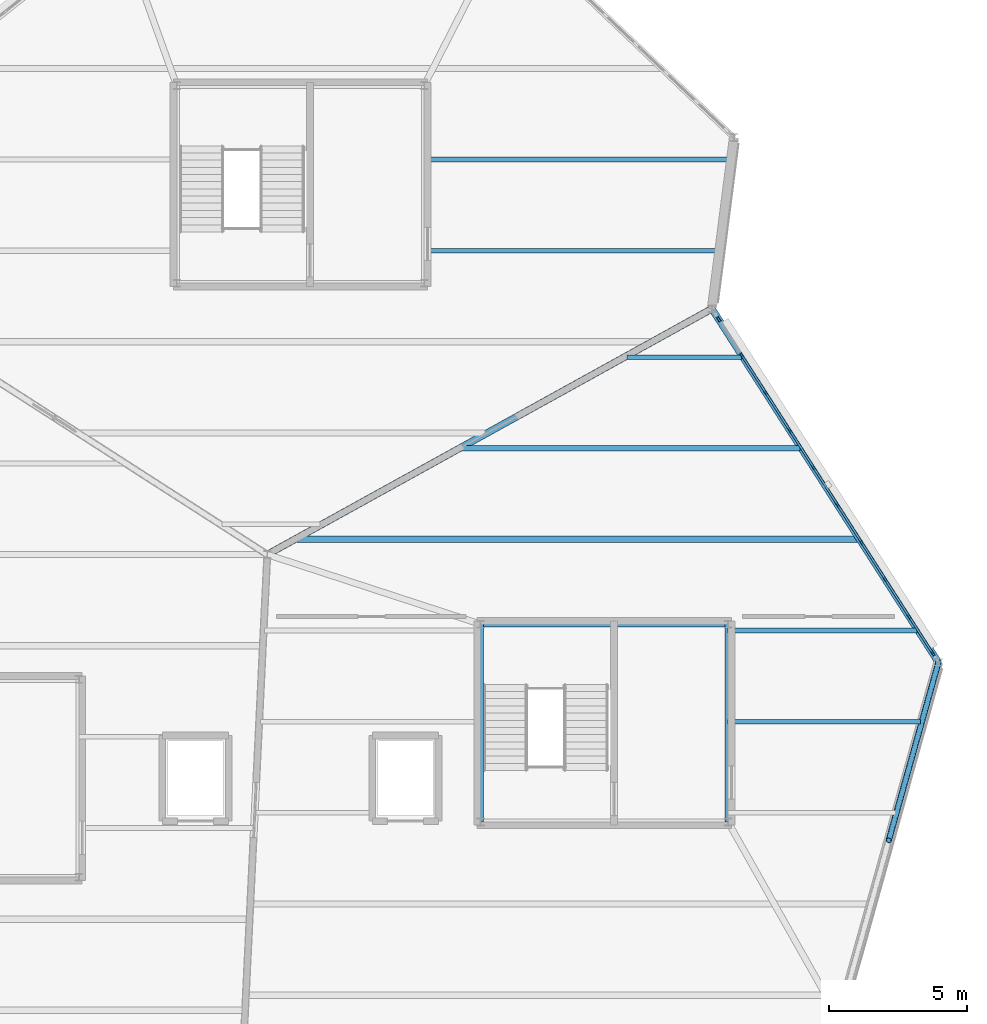
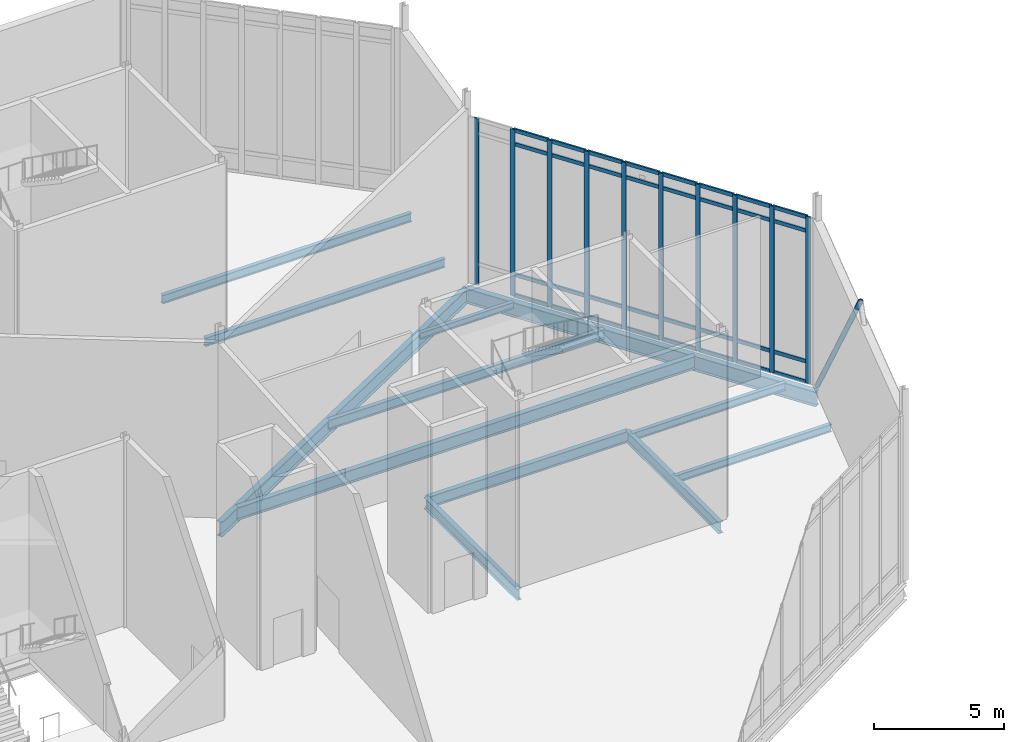
# One storey, part 38 of 66: 43 members, 12 beams, 1 element without a shape of its own.
"""IFC4 building model written with IfcOpenShell, lengths in metres."""

from ifc_helpers import new_model, si_unit, direction, frame, origin, origin_2d, place, context, subcontext, project, spatial, rectangle, hollow_circle, i_section, extrude, material, material_profile, profile_set, type_object, element, aggregate, save


model = new_model("IFC4")

# Units and contexts
model_context = context("Model", 3, precision=1e-05, world=origin(), true_north=direction((0.0, 1.0)))
body_context = subcontext(model_context, "Body", "Model", "MODEL_VIEW")
ifc_project = project(units=[si_unit("LENGTHUNIT", "METRE"), si_unit("AREAUNIT", "SQUARE_METRE"), si_unit("VOLUMEUNIT", "CUBIC_METRE"), si_unit("PLANEANGLEUNIT", "RADIAN"), si_unit("MASSUNIT", "GRAM", prefix="KILO")], contexts=[model_context])

# Site, building, storey
site_placement = place(None, origin())
site = spatial("IfcSite", under=ifc_project, at=site_placement, CompositionType="ELEMENT")
building_placement = place(site_placement, origin())
building = spatial("IfcBuilding", under=site, at=building_placement, Name="Tameran Prism Museum", CompositionType="ELEMENT")
storey_placement = place(building_placement, frame((0.0, 0.0, 19.800048828125)))
storey = spatial("IfcBuildingStorey", under=building, at=storey_placement, Name="L04", CompositionType="ELEMENT", Elevation=19.800048828125)

# Beams
ifc_material_1 = material(Name="Steel Grade 300PLUS (300 MPa)", Category="steel")
ifc_material_profile_1 = material_profile(ifc_material_1, i_section(OverallWidth=0.1650390625, OverallDepth=0.303955078125, WebThickness=0.006103515625, FlangeThickness=0.01025390625, FilletRadius=0.011474609375, at=origin_2d()))
ifc_profile_set_1 = profile_set([ifc_material_profile_1])
beam_type_1 = type_object("IfcBeamType", Name="BM-J310B", PredefinedType="JOIST", material=ifc_profile_set_1)
beam_1_placement = place(storey_placement, frame((131.81689453125, 96.25, -0.39208984375), z_axis=(1.0, 0.0, 0.0), x_axis=(0.0, 1.0, 0.0)))
element("IfcBeam", 1, at=beam_1_placement, inside=storey, type_object=beam_type_1, Name="Floor Beam BM-1219", PredefinedType="JOIST", context=body_context, shape_type="SweptSolid", body=[
    extrude(i_section(OverallWidth=0.1650390625, OverallDepth=0.303955078125, WebThickness=0.006103515625, FlangeThickness=0.01025390625, FilletRadius=0.011474609375, at=origin_2d()), origin(), (0.0, 0.0, 1.0), 4.1572265625),
])
ifc_material_2 = material(Name="Steel Grade 300PLUS (300 MPa)", Category="steel")
ifc_material_profile_2 = material_profile(ifc_material_2, i_section(OverallWidth=0.172119140625, OverallDepth=0.35888671875, WebThickness=0.008056640625, FlangeThickness=0.012939453125, FilletRadius=0.011474609375, at=origin_2d()))
ifc_profile_set_2 = profile_set([ifc_material_profile_2])
beam_type_2 = type_object("IfcBeamType", Name="BM-J360A", PredefinedType="JOIST", material=ifc_profile_set_2)
beam_2_placement = place(storey_placement, frame((135.47998046875, 86.35009765625, -0.41943359375), z_axis=(1.0, 0.0, 0.0), x_axis=(0.0, 1.0, 0.0)))
element("IfcBeam", 2, at=beam_2_placement, inside=storey, type_object=beam_type_2, Name="Floor Beam BM-1216", PredefinedType="JOIST", context=body_context, shape_type="SweptSolid", body=[
    extrude(i_section(OverallWidth=0.172119140625, OverallDepth=0.35888671875, WebThickness=0.008056640625, FlangeThickness=0.012939453125, FilletRadius=0.011474609375, at=origin_2d()), origin(), (0.0, 0.0, 1.0), 6.8359375),
])
ifc_material_3 = material(Name="Steel Grade 300PLUS (300 MPa)", Category="steel")
ifc_material_profile_3 = material_profile(ifc_material_3, i_section(OverallWidth=0.1708984375, OverallDepth=0.35595703125, WebThickness=0.00732421875, FlangeThickness=0.011474609375, FilletRadius=0.011474609375, at=origin_2d()))
ifc_profile_set_3 = profile_set([ifc_material_profile_3])
beam_type_3 = type_object("IfcBeamType", Name="BM-J360B", PredefinedType="JOIST", material=ifc_profile_set_3)
beam_3_placement = place(storey_placement, frame((135.47998046875, 83.050048828125, -0.41796875), z_axis=(1.0, 0.0, 0.0), x_axis=(0.0, 1.0, 0.0)))
element("IfcBeam", 3, at=beam_3_placement, inside=storey, type_object=beam_type_3, Name="Floor Beam BM-1214", PredefinedType="JOIST", context=body_context, shape_type="SweptSolid", body=[
    extrude(i_section(OverallWidth=0.1708984375, OverallDepth=0.35595703125, WebThickness=0.00732421875, FlangeThickness=0.011474609375, FilletRadius=0.011474609375, at=origin_2d()), origin(), (0.0, 0.0, 1.0), 6.97802734375),
])
ifc_material_4 = material(Name="Steel Grade 300PLUS (300 MPa)", Category="steel")
ifc_material_profile_4 = material_profile(ifc_material_4, i_section(OverallWidth=0.177978515625, OverallDepth=0.403076171875, WebThickness=0.007568359375, FlangeThickness=0.010986328125, FilletRadius=0.011474609375, at=origin_2d()))
ifc_profile_set_4 = profile_set([ifc_material_profile_4])
beam_type_4 = type_object("IfcBeamType", Name="BM-J410B", PredefinedType="JOIST", material=ifc_profile_set_4)
beam_4_placement = place(storey_placement, frame((124.47998046875, 100.10009765625, -0.441650390625), z_axis=(1.0, 0.0, 0.0), x_axis=(0.0, 1.0, 0.0)))
element("IfcBeam", 4, at=beam_4_placement, inside=storey, type_object=beam_type_4, Name="Floor Beam BM-1224", PredefinedType="JOIST", context=body_context, shape_type="SweptSolid", body=[
    extrude(i_section(OverallWidth=0.177978515625, OverallDepth=0.403076171875, WebThickness=0.007568359375, FlangeThickness=0.010986328125, FilletRadius=0.011474609375, at=origin_2d()), origin(), (0.0, 0.0, 1.0), 10.651123046875),
])
beam_5_placement = place(storey_placement, frame((124.47998046875, 103.39990234375, -0.441650390625), z_axis=(1.0, 0.0, 0.0), x_axis=(0.0, 1.0, 0.0)))
element("IfcBeam", 5, at=beam_5_placement, inside=storey, type_object=beam_type_4, Name="Floor Beam BM-1226", PredefinedType="JOIST", context=body_context, shape_type="SweptSolid", body=[
    extrude(i_section(OverallWidth=0.177978515625, OverallDepth=0.403076171875, WebThickness=0.007568359375, FlangeThickness=0.010986328125, FilletRadius=0.011474609375, at=origin_2d()), origin(), (0.0, 0.0, 1.0), 11.075927734375),
])
ifc_material_5 = material(Name="Steel Grade 300PLUS (300 MPa)", Category="steel")
ifc_material_profile_5 = material_profile(ifc_material_5, i_section(OverallWidth=0.18994140625, OverallDepth=0.4541015625, WebThickness=0.008544921875, FlangeThickness=0.0126953125, FilletRadius=0.011474609375, at=origin_2d()))
ifc_profile_set_5 = profile_set([ifc_material_profile_5])
beam_type_5 = type_object("IfcBeamType", Name="BM-J460B", PredefinedType="JOIST", material=ifc_profile_set_5)
beam_6_placement = place(storey_placement, frame((125.846923828125, 92.949951171875, -0.467041015625), z_axis=(1.0, 0.0, 0.0), x_axis=(0.0, 1.0, 0.0)))
element("IfcBeam", 6, at=beam_6_placement, inside=storey, type_object=beam_type_5, Name="Floor Beam BM-1218", PredefinedType="JOIST", context=body_context, shape_type="SweptSolid", body=[
    extrude(i_section(OverallWidth=0.18994140625, OverallDepth=0.4541015625, WebThickness=0.008544921875, FlangeThickness=0.0126953125, FilletRadius=0.011474609375, at=origin_2d()), origin(), (0.0, 0.0, 1.0), 12.240966796875),
])
ifc_material_6 = material(Name="Steel Grade 300PLUS (300 MPa)", Category="steel")
ifc_material_profile_6 = material_profile(ifc_material_6, i_section(OverallWidth=0.208984375, OverallDepth=0.528076171875, WebThickness=0.009521484375, FlangeThickness=0.01318359375, FilletRadius=0.013916015625, at=origin_2d()))
ifc_profile_set_6 = profile_set([ifc_material_profile_6])
beam_type_6 = type_object("IfcBeamType", Name="BM-SP530B", PredefinedType="SPANDREL", material=ifc_profile_set_6)
beam_7_placement = place(storey_placement, frame((135.47998046875, 79.419921875, -0.504150390625), z_axis=(0.0, 1.0, 0.0), x_axis=(-1.0, 0.0, 0.0)))
element("IfcBeam", 7, at=beam_7_placement, inside=storey, type_object=beam_type_6, Name="Core Ring Beam CTB-1182", PredefinedType="SPANDREL", context=body_context, shape_type="SweptSolid", body=[
    extrude(i_section(OverallWidth=0.208984375, OverallDepth=0.528076171875, WebThickness=0.009521484375, FlangeThickness=0.01318359375, FilletRadius=0.013916015625, at=origin_2d()), origin(), (0.0, 0.0, 1.0), 7.16015625),
])
beam_8_placement = place(storey_placement, frame((135.47998046875, 86.580078125, -0.504150390625), z_axis=(-1.0, 0.0, 0.0), x_axis=(0.0, -1.0, 0.0)))
element("IfcBeam", 8, at=beam_8_placement, inside=storey, type_object=beam_type_6, Name="Core Ring Beam CTB-1183", PredefinedType="SPANDREL", context=body_context, shape_type="SweptSolid", body=[
    extrude(i_section(OverallWidth=0.208984375, OverallDepth=0.528076171875, WebThickness=0.009521484375, FlangeThickness=0.01318359375, FilletRadius=0.013916015625, at=origin_2d()), origin(), (0.0, 0.0, 1.0), 8.9599609375),
])
beam_9_placement = place(storey_placement, frame((126.52001953125, 86.580078125, -0.504150390625), z_axis=(0.0, -1.0, 0.0), x_axis=(1.0, 0.0, 0.0)))
element("IfcBeam", 9, at=beam_9_placement, inside=storey, type_object=beam_type_6, Name="Core Ring Beam CTB-1184", PredefinedType="SPANDREL", context=body_context, shape_type="SweptSolid", body=[
    extrude(i_section(OverallWidth=0.208984375, OverallDepth=0.528076171875, WebThickness=0.009521484375, FlangeThickness=0.01318359375, FilletRadius=0.013916015625, at=origin_2d()), origin(), (0.0, 0.0, 1.0), 7.16015625),
])
ifc_material_7 = material(Name="Steel Grade 350 (350 MPa)", Category="steel")
ifc_material_profile_7 = material_profile(ifc_material_7, i_section(OverallWidth=0.25, OverallDepth=0.699951171875, WebThickness=0.010009765625, FlangeThickness=0.02001953125, at=origin_2d()))
ifc_profile_set_7 = profile_set([ifc_material_profile_7])
beam_type_7 = type_object("IfcBeamType", Name="BM-SP700", PredefinedType="SPANDREL", material=ifc_profile_set_7)
beam_10_placement = place(storey_placement, frame((143.10009765625, 85.199951171875, -0.590087890625), z_axis=(-0.539434641352, 0.842027474439, 0.0), x_axis=(-0.842027474439, -0.539434641352, 0.0)))
element("IfcBeam", 10, at=beam_10_placement, inside=storey, type_object=beam_type_7, Name="Perimeter Spandrel SP-1148", PredefinedType="SPANDREL", context=body_context, shape_type="SweptSolid", body=[
    extrude(i_section(OverallWidth=0.25, OverallDepth=0.699951171875, WebThickness=0.010009765625, FlangeThickness=0.02001953125, at=origin_2d()), origin(), (0.0, 0.0, 1.0), 15.201416015625),
])
beam_11_placement = place(storey_placement, frame((134.89990234375, 98.0, -0.590087890625), z_axis=(-0.875181353329, -0.483794996652, 0.0), x_axis=(0.483794996652, -0.875181353329, 0.0)))
element("IfcBeam", 11, at=beam_11_placement, inside=storey, type_object=beam_type_7, Name="Perimeter Spandrel SP-1149", PredefinedType="SPANDREL", context=body_context, shape_type="SweptSolid", body=[
    extrude(i_section(OverallWidth=0.25, OverallDepth=0.699951171875, WebThickness=0.010009765625, FlangeThickness=0.02001953125, at=origin_2d()), origin(), (0.0, 0.0, 1.0), 18.39599609375),
])
ifc_material_8 = material(Name="Steel Grade 300PLUS (300 MPa)", Category="steel")
ifc_material_profile_8 = material_profile(ifc_material_8, i_section(OverallWidth=0.22802734375, OverallDepth=0.60693359375, WebThickness=0.01123046875, FlangeThickness=0.017333984375, FilletRadius=0.013916015625, at=origin_2d()))
ifc_profile_set_8 = profile_set([ifc_material_profile_8])
beam_type_8 = type_object("IfcBeamType", Name="BM-UB610B", PredefinedType="BEAM", material=ifc_profile_set_8)
beam_12_placement = place(storey_placement, frame((119.8779296875, 89.64990234375, -0.54345703125), z_axis=(1.0, 0.0, 0.0), x_axis=(0.0, 1.0, 0.0)))
element("IfcBeam", 12, at=beam_12_placement, inside=storey, type_object=beam_type_8, Name="Floor Beam BM-1217", PredefinedType="BEAM", context=body_context, shape_type="SweptSolid", body=[
    extrude(i_section(OverallWidth=0.22802734375, OverallDepth=0.60693359375, WebThickness=0.01123046875, FlangeThickness=0.017333984375, FilletRadius=0.013916015625, at=origin_2d()), origin(), (0.0, 0.0, 1.0), 20.323974609375),
])

# Curtain wall, members
ifc_material_9 = material(Name="Anodised Aluminium 6063-T6 and Cyclone Solar Glass", Category="aluminium")
curtain_wall_type = type_object("IfcCurtainWallType", Name="CW-FAC-1444x782", PredefinedType="USERDEFINED", material=ifc_material_9)
curtain_wall_placement = place(storey_placement, origin())
curtain_wall = element("IfcCurtainWall", 13, at=curtain_wall_placement, inside=storey, type_object=curtain_wall_type, Name="Unitised Curtain Wall CW-153", ObjectType="UNITISED CURTAIN WALL", PredefinedType="USERDEFINED")
ifc_material_10 = material(Name="Anodised Aluminium Alloy 6063-T6", Category="aluminium")
ifc_material_profile_9 = material_profile(ifc_material_10, rectangle(XDim=0.074951171875, YDim=0.199951171875, at=origin_2d()))
ifc_profile_set_9 = profile_set([ifc_material_profile_9])
member_type_1 = type_object("IfcMemberType", Name="CW-MUL-C", PredefinedType="MULLION", material=ifc_profile_set_9)
member_1_placement = place(storey_placement, frame((135.14111328125, 97.62353515625, 0.0), z_axis=(0.0, 0.0, 1.0), x_axis=(0.842032375697, 0.539426990683, 0.0)))
member_1 = element("IfcMember", 14, at=member_1_placement, type_object=member_type_1, Name="CW-153 mullion 1", PredefinedType="MULLION", context=body_context, shape_type="SweptSolid", body=[
    extrude(rectangle(XDim=0.074951171875, YDim=0.199951171875, at=origin_2d()), origin(), (0.0, 0.0, 1.0), 7.820068359375),
])
member_2_placement = place(storey_placement, frame((135.986572265625, 96.303955078125, 0.0), z_axis=(0.0, 0.0, 1.0), x_axis=(0.842032375697, 0.539426990683, 0.0)))
member_2 = element("IfcMember", 15, at=member_2_placement, type_object=member_type_1, Name="CW-153 mullion 2", PredefinedType="MULLION", context=body_context, shape_type="SweptSolid", body=[
    extrude(rectangle(XDim=0.074951171875, YDim=0.199951171875, at=origin_2d()), origin(), (0.0, 0.0, 1.0), 7.820068359375),
])
member_3_placement = place(storey_placement, frame((136.85205078125, 94.952880859375, 0.0), z_axis=(0.0, 0.0, 1.0), x_axis=(0.842032375697, 0.539426990683, 0.0)))
member_3 = element("IfcMember", 16, at=member_3_placement, type_object=member_type_1, Name="CW-153 mullion 3", PredefinedType="MULLION", context=body_context, shape_type="SweptSolid", body=[
    extrude(rectangle(XDim=0.074951171875, YDim=0.199951171875, at=origin_2d()), origin(), (0.0, 0.0, 1.0), 7.820068359375),
])
member_4_placement = place(storey_placement, frame((137.7177734375, 93.6015625, 0.0), z_axis=(0.0, 0.0, 1.0), x_axis=(0.842032375697, 0.539426990683, 0.0)))
member_4 = element("IfcMember", 17, at=member_4_placement, type_object=member_type_1, Name="CW-153 mullion 4", PredefinedType="MULLION", context=body_context, shape_type="SweptSolid", body=[
    extrude(rectangle(XDim=0.074951171875, YDim=0.199951171875, at=origin_2d()), origin(), (0.0, 0.0, 1.0), 7.820068359375),
])
member_5_placement = place(storey_placement, frame((138.583251953125, 92.25048828125, 0.0), z_axis=(0.0, 0.0, 1.0), x_axis=(0.842032375697, 0.539426990683, 0.0)))
member_5 = element("IfcMember", 18, at=member_5_placement, type_object=member_type_1, Name="CW-153 mullion 5", PredefinedType="MULLION", context=body_context, shape_type="SweptSolid", body=[
    extrude(rectangle(XDim=0.074951171875, YDim=0.199951171875, at=origin_2d()), origin(), (0.0, 0.0, 1.0), 7.820068359375),
])
member_6_placement = place(storey_placement, frame((139.44873046875, 90.8994140625, 0.0), z_axis=(0.0, 0.0, 1.0), x_axis=(0.842032375697, 0.539426990683, 0.0)))
member_6 = element("IfcMember", 19, at=member_6_placement, type_object=member_type_1, Name="CW-153 mullion 6", PredefinedType="MULLION", context=body_context, shape_type="SweptSolid", body=[
    extrude(rectangle(XDim=0.074951171875, YDim=0.199951171875, at=origin_2d()), origin(), (0.0, 0.0, 1.0), 7.820068359375),
])
member_7_placement = place(storey_placement, frame((140.314453125, 89.54833984375, 0.0), z_axis=(0.0, 0.0, 1.0), x_axis=(0.842032375697, 0.539426990683, 0.0)))
member_7 = element("IfcMember", 20, at=member_7_placement, type_object=member_type_1, Name="CW-153 mullion 7", PredefinedType="MULLION", context=body_context, shape_type="SweptSolid", body=[
    extrude(rectangle(XDim=0.074951171875, YDim=0.199951171875, at=origin_2d()), origin(), (0.0, 0.0, 1.0), 7.820068359375),
])
member_8_placement = place(storey_placement, frame((141.179931640625, 88.197265625, 0.0), z_axis=(0.0, 0.0, 1.0), x_axis=(0.842032375697, 0.539426990683, 0.0)))
member_8 = element("IfcMember", 21, at=member_8_placement, type_object=member_type_1, Name="CW-153 mullion 8", PredefinedType="MULLION", context=body_context, shape_type="SweptSolid", body=[
    extrude(rectangle(XDim=0.074951171875, YDim=0.199951171875, at=origin_2d()), origin(), (0.0, 0.0, 1.0), 7.820068359375),
])
member_9_placement = place(storey_placement, frame((142.04541015625, 86.84619140625, 0.0), z_axis=(0.0, 0.0, 1.0), x_axis=(0.842032375697, 0.539426990683, 0.0)))
member_9 = element("IfcMember", 22, at=member_9_placement, type_object=member_type_1, Name="CW-153 mullion 9", PredefinedType="MULLION", context=body_context, shape_type="SweptSolid", body=[
    extrude(rectangle(XDim=0.074951171875, YDim=0.199951171875, at=origin_2d()), origin(), (0.0, 0.0, 1.0), 7.820068359375),
])
member_10_placement = place(storey_placement, frame((142.890869140625, 85.526611328125, 0.0), z_axis=(0.0, 0.0, 1.0), x_axis=(0.842032375697, 0.539426990683, 0.0)))
member_10 = element("IfcMember", 23, at=member_10_placement, type_object=member_type_1, Name="CW-153 mullion 10", PredefinedType="MULLION", context=body_context, shape_type="SweptSolid", body=[
    extrude(rectangle(XDim=0.074951171875, YDim=0.199951171875, at=origin_2d()), origin(), (0.0, 0.0, 1.0), 7.820068359375),
])
ifc_material_11 = material(Name="Anodised Aluminium Alloy 6063-T6", Category="aluminium")
ifc_material_profile_10 = material_profile(ifc_material_11, rectangle(XDim=0.074951171875, YDim=0.175048828125, at=origin_2d()))
ifc_profile_set_10 = profile_set([ifc_material_profile_10])
member_type_2 = type_object("IfcMemberType", Name="CW-TRN-C", PredefinedType="USERDEFINED", material=ifc_profile_set_10)
member_11_placement = place(storey_placement, frame((136.0068359375, 96.272216796875, 0.037353515625), z_axis=(0.539393389528, -0.842053900492, 0.0), x_axis=(0.842053900492, 0.539393389528, 0.0)))
member_11 = element("IfcMember", 24, at=member_11_placement, type_object=member_type_2, Name="CW-153 transom 2.1", ObjectType="TRANSOM", PredefinedType="USERDEFINED", context=body_context, shape_type="SweptSolid", body=[
    extrude(rectangle(XDim=0.074951171875, YDim=0.175048828125, at=origin_2d()), origin(), (0.0, 0.0, 1.0), 1.529296875),
])
member_12_placement = place(storey_placement, frame((136.0068359375, 96.272216796875, 1.0), z_axis=(0.539393389528, -0.842053900492, 0.0), x_axis=(0.842053900492, 0.539393389528, 0.0)))
member_12 = element("IfcMember", 25, at=member_12_placement, type_object=member_type_2, Name="CW-153 transom 2.2", ObjectType="TRANSOM", PredefinedType="USERDEFINED", context=body_context, shape_type="SweptSolid", body=[
    extrude(rectangle(XDim=0.074951171875, YDim=0.175048828125, at=origin_2d()), origin(), (0.0, 0.0, 1.0), 1.529296875),
])
member_13_placement = place(storey_placement, frame((136.0068359375, 96.272216796875, 7.139892578125), z_axis=(0.539393389528, -0.842053900492, 0.0), x_axis=(0.842053900492, 0.539393389528, 0.0)))
member_13 = element("IfcMember", 26, at=member_13_placement, type_object=member_type_2, Name="CW-153 transom 2.3", ObjectType="TRANSOM", PredefinedType="USERDEFINED", context=body_context, shape_type="SweptSolid", body=[
    extrude(rectangle(XDim=0.074951171875, YDim=0.175048828125, at=origin_2d()), origin(), (0.0, 0.0, 1.0), 1.529296875),
])
member_14_placement = place(storey_placement, frame((136.0068359375, 96.272216796875, 7.782470703125), z_axis=(0.539393389528, -0.842053900492, 0.0), x_axis=(0.842053900492, 0.539393389528, 0.0)))
member_14 = element("IfcMember", 27, at=member_14_placement, type_object=member_type_2, Name="CW-153 transom 2.4", ObjectType="TRANSOM", PredefinedType="USERDEFINED", context=body_context, shape_type="SweptSolid", body=[
    extrude(rectangle(XDim=0.074951171875, YDim=0.175048828125, at=origin_2d()), origin(), (0.0, 0.0, 1.0), 1.529296875),
])
member_15_placement = place(storey_placement, frame((136.872314453125, 94.921142578125, 0.037353515625), z_axis=(0.539506562083, -0.841981394966, 0.0), x_axis=(0.841981394966, 0.539506562083, 0.0)))
member_15 = element("IfcMember", 28, at=member_15_placement, type_object=member_type_2, Name="CW-153 transom 3.1", ObjectType="TRANSOM", PredefinedType="USERDEFINED", context=body_context, shape_type="SweptSolid", body=[
    extrude(rectangle(XDim=0.074951171875, YDim=0.175048828125, at=origin_2d()), origin(), (0.0, 0.0, 1.0), 1.529541015625),
])
member_16_placement = place(storey_placement, frame((136.872314453125, 94.921142578125, 1.0), z_axis=(0.539506562083, -0.841981394966, 0.0), x_axis=(0.841981394966, 0.539506562083, 0.0)))
member_16 = element("IfcMember", 29, at=member_16_placement, type_object=member_type_2, Name="CW-153 transom 3.2", ObjectType="TRANSOM", PredefinedType="USERDEFINED", context=body_context, shape_type="SweptSolid", body=[
    extrude(rectangle(XDim=0.074951171875, YDim=0.175048828125, at=origin_2d()), origin(), (0.0, 0.0, 1.0), 1.529541015625),
])
member_17_placement = place(storey_placement, frame((136.872314453125, 94.921142578125, 7.139892578125), z_axis=(0.539506562083, -0.841981394966, 0.0), x_axis=(0.841981394966, 0.539506562083, 0.0)))
member_17 = element("IfcMember", 30, at=member_17_placement, type_object=member_type_2, Name="CW-153 transom 3.3", ObjectType="TRANSOM", PredefinedType="USERDEFINED", context=body_context, shape_type="SweptSolid", body=[
    extrude(rectangle(XDim=0.074951171875, YDim=0.175048828125, at=origin_2d()), origin(), (0.0, 0.0, 1.0), 1.529541015625),
])
member_18_placement = place(storey_placement, frame((136.872314453125, 94.921142578125, 7.782470703125), z_axis=(0.539506562083, -0.841981394966, 0.0), x_axis=(0.841981394966, 0.539506562083, 0.0)))
member_18 = element("IfcMember", 31, at=member_18_placement, type_object=member_type_2, Name="CW-153 transom 3.4", ObjectType="TRANSOM", PredefinedType="USERDEFINED", context=body_context, shape_type="SweptSolid", body=[
    extrude(rectangle(XDim=0.074951171875, YDim=0.175048828125, at=origin_2d()), origin(), (0.0, 0.0, 1.0), 1.529541015625),
])
member_19_placement = place(storey_placement, frame((137.73779296875, 93.570068359375, 0.037353515625), z_axis=(0.539506562083, -0.841981394966, 0.0), x_axis=(0.841981394966, 0.539506562083, 0.0)))
member_19 = element("IfcMember", 32, at=member_19_placement, type_object=member_type_2, Name="CW-153 transom 4.1", ObjectType="TRANSOM", PredefinedType="USERDEFINED", context=body_context, shape_type="SweptSolid", body=[
    extrude(rectangle(XDim=0.074951171875, YDim=0.175048828125, at=origin_2d()), origin(), (0.0, 0.0, 1.0), 1.529541015625),
])
member_20_placement = place(storey_placement, frame((137.73779296875, 93.570068359375, 1.0), z_axis=(0.539506562083, -0.841981394966, 0.0), x_axis=(0.841981394966, 0.539506562083, 0.0)))
member_20 = element("IfcMember", 33, at=member_20_placement, type_object=member_type_2, Name="CW-153 transom 4.2", ObjectType="TRANSOM", PredefinedType="USERDEFINED", context=body_context, shape_type="SweptSolid", body=[
    extrude(rectangle(XDim=0.074951171875, YDim=0.175048828125, at=origin_2d()), origin(), (0.0, 0.0, 1.0), 1.529541015625),
])
member_21_placement = place(storey_placement, frame((137.73779296875, 93.570068359375, 7.139892578125), z_axis=(0.539506562083, -0.841981394966, 0.0), x_axis=(0.841981394966, 0.539506562083, 0.0)))
member_21 = element("IfcMember", 34, at=member_21_placement, type_object=member_type_2, Name="CW-153 transom 4.3", ObjectType="TRANSOM", PredefinedType="USERDEFINED", context=body_context, shape_type="SweptSolid", body=[
    extrude(rectangle(XDim=0.074951171875, YDim=0.175048828125, at=origin_2d()), origin(), (0.0, 0.0, 1.0), 1.529541015625),
])
member_22_placement = place(storey_placement, frame((137.73779296875, 93.570068359375, 7.782470703125), z_axis=(0.539506562083, -0.841981394966, 0.0), x_axis=(0.841981394966, 0.539506562083, 0.0)))
member_22 = element("IfcMember", 35, at=member_22_placement, type_object=member_type_2, Name="CW-153 transom 4.4", ObjectType="TRANSOM", PredefinedType="USERDEFINED", context=body_context, shape_type="SweptSolid", body=[
    extrude(rectangle(XDim=0.074951171875, YDim=0.175048828125, at=origin_2d()), origin(), (0.0, 0.0, 1.0), 1.529541015625),
])
member_23_placement = place(storey_placement, frame((138.603515625, 92.218994140625, 0.037353515625), z_axis=(0.539320893112, -0.842100335027, 0.0), x_axis=(0.842100335027, 0.539320893112, 0.0)))
member_23 = element("IfcMember", 36, at=member_23_placement, type_object=member_type_2, Name="CW-153 transom 5.1", ObjectType="TRANSOM", PredefinedType="USERDEFINED", context=body_context, shape_type="SweptSolid", body=[
    extrude(rectangle(XDim=0.074951171875, YDim=0.175048828125, at=origin_2d()), origin(), (0.0, 0.0, 1.0), 1.529541015625),
])
member_24_placement = place(storey_placement, frame((138.603515625, 92.218994140625, 1.0), z_axis=(0.539320893112, -0.842100335027, 0.0), x_axis=(0.842100335027, 0.539320893112, 0.0)))
member_24 = element("IfcMember", 37, at=member_24_placement, type_object=member_type_2, Name="CW-153 transom 5.2", ObjectType="TRANSOM", PredefinedType="USERDEFINED", context=body_context, shape_type="SweptSolid", body=[
    extrude(rectangle(XDim=0.074951171875, YDim=0.175048828125, at=origin_2d()), origin(), (0.0, 0.0, 1.0), 1.529541015625),
])
member_25_placement = place(storey_placement, frame((138.603515625, 92.218994140625, 7.139892578125), z_axis=(0.539320893112, -0.842100335027, 0.0), x_axis=(0.842100335027, 0.539320893112, 0.0)))
member_25 = element("IfcMember", 38, at=member_25_placement, type_object=member_type_2, Name="CW-153 transom 5.3", ObjectType="TRANSOM", PredefinedType="USERDEFINED", context=body_context, shape_type="SweptSolid", body=[
    extrude(rectangle(XDim=0.074951171875, YDim=0.175048828125, at=origin_2d()), origin(), (0.0, 0.0, 1.0), 1.529541015625),
])
member_26_placement = place(storey_placement, frame((138.603515625, 92.218994140625, 7.782470703125), z_axis=(0.539320893112, -0.842100335027, 0.0), x_axis=(0.842100335027, 0.539320893112, 0.0)))
member_26 = element("IfcMember", 39, at=member_26_placement, type_object=member_type_2, Name="CW-153 transom 5.4", ObjectType="TRANSOM", PredefinedType="USERDEFINED", context=body_context, shape_type="SweptSolid", body=[
    extrude(rectangle(XDim=0.074951171875, YDim=0.175048828125, at=origin_2d()), origin(), (0.0, 0.0, 1.0), 1.529541015625),
])
member_27_placement = place(storey_placement, frame((139.468994140625, 90.867919921875, 0.037353515625), z_axis=(0.53943406294, -0.842027844991, 0.0), x_axis=(0.842027844991, 0.53943406294, 0.0)))
member_27 = element("IfcMember", 40, at=member_27_placement, type_object=member_type_2, Name="CW-153 transom 6.1", ObjectType="TRANSOM", PredefinedType="USERDEFINED", context=body_context, shape_type="SweptSolid", body=[
    extrude(rectangle(XDim=0.074951171875, YDim=0.175048828125, at=origin_2d()), origin(), (0.0, 0.0, 1.0), 1.52978515625),
])
member_28_placement = place(storey_placement, frame((139.468994140625, 90.867919921875, 1.0), z_axis=(0.53943406294, -0.842027844991, 0.0), x_axis=(0.842027844991, 0.53943406294, 0.0)))
member_28 = element("IfcMember", 41, at=member_28_placement, type_object=member_type_2, Name="CW-153 transom 6.2", ObjectType="TRANSOM", PredefinedType="USERDEFINED", context=body_context, shape_type="SweptSolid", body=[
    extrude(rectangle(XDim=0.074951171875, YDim=0.175048828125, at=origin_2d()), origin(), (0.0, 0.0, 1.0), 1.52978515625),
])
member_29_placement = place(storey_placement, frame((139.468994140625, 90.867919921875, 7.139892578125), z_axis=(0.53943406294, -0.842027844991, 0.0), x_axis=(0.842027844991, 0.53943406294, 0.0)))
member_29 = element("IfcMember", 42, at=member_29_placement, type_object=member_type_2, Name="CW-153 transom 6.3", ObjectType="TRANSOM", PredefinedType="USERDEFINED", context=body_context, shape_type="SweptSolid", body=[
    extrude(rectangle(XDim=0.074951171875, YDim=0.175048828125, at=origin_2d()), origin(), (0.0, 0.0, 1.0), 1.52978515625),
])
member_30_placement = place(storey_placement, frame((139.468994140625, 90.867919921875, 7.782470703125), z_axis=(0.53943406294, -0.842027844991, 0.0), x_axis=(0.842027844991, 0.53943406294, 0.0)))
member_30 = element("IfcMember", 43, at=member_30_placement, type_object=member_type_2, Name="CW-153 transom 6.4", ObjectType="TRANSOM", PredefinedType="USERDEFINED", context=body_context, shape_type="SweptSolid", body=[
    extrude(rectangle(XDim=0.074951171875, YDim=0.175048828125, at=origin_2d()), origin(), (0.0, 0.0, 1.0), 1.52978515625),
])
member_31_placement = place(storey_placement, frame((140.33447265625, 89.516845703125, 0.037353515625), z_axis=(0.53943406294, -0.842027844991, 0.0), x_axis=(0.842027844991, 0.53943406294, 0.0)))
member_31 = element("IfcMember", 44, at=member_31_placement, type_object=member_type_2, Name="CW-153 transom 7.1", ObjectType="TRANSOM", PredefinedType="USERDEFINED", context=body_context, shape_type="SweptSolid", body=[
    extrude(rectangle(XDim=0.074951171875, YDim=0.175048828125, at=origin_2d()), origin(), (0.0, 0.0, 1.0), 1.52978515625),
])
member_32_placement = place(storey_placement, frame((140.33447265625, 89.516845703125, 1.0), z_axis=(0.53943406294, -0.842027844991, 0.0), x_axis=(0.842027844991, 0.53943406294, 0.0)))
member_32 = element("IfcMember", 45, at=member_32_placement, type_object=member_type_2, Name="CW-153 transom 7.2", ObjectType="TRANSOM", PredefinedType="USERDEFINED", context=body_context, shape_type="SweptSolid", body=[
    extrude(rectangle(XDim=0.074951171875, YDim=0.175048828125, at=origin_2d()), origin(), (0.0, 0.0, 1.0), 1.52978515625),
])
member_33_placement = place(storey_placement, frame((140.33447265625, 89.516845703125, 7.139892578125), z_axis=(0.53943406294, -0.842027844991, 0.0), x_axis=(0.842027844991, 0.53943406294, 0.0)))
member_33 = element("IfcMember", 46, at=member_33_placement, type_object=member_type_2, Name="CW-153 transom 7.3", ObjectType="TRANSOM", PredefinedType="USERDEFINED", context=body_context, shape_type="SweptSolid", body=[
    extrude(rectangle(XDim=0.074951171875, YDim=0.175048828125, at=origin_2d()), origin(), (0.0, 0.0, 1.0), 1.52978515625),
])
member_34_placement = place(storey_placement, frame((140.33447265625, 89.516845703125, 7.782470703125), z_axis=(0.53943406294, -0.842027844991, 0.0), x_axis=(0.842027844991, 0.53943406294, 0.0)))
member_34 = element("IfcMember", 47, at=member_34_placement, type_object=member_type_2, Name="CW-153 transom 7.4", ObjectType="TRANSOM", PredefinedType="USERDEFINED", context=body_context, shape_type="SweptSolid", body=[
    extrude(rectangle(XDim=0.074951171875, YDim=0.175048828125, at=origin_2d()), origin(), (0.0, 0.0, 1.0), 1.52978515625),
])
member_35_placement = place(storey_placement, frame((141.2001953125, 88.16552734375, 0.037353515625), z_axis=(0.539393389528, -0.842053900492, 0.0), x_axis=(0.842053900492, 0.539393389528, 0.0)))
member_35 = element("IfcMember", 48, at=member_35_placement, type_object=member_type_2, Name="CW-153 transom 8.1", ObjectType="TRANSOM", PredefinedType="USERDEFINED", context=body_context, shape_type="SweptSolid", body=[
    extrude(rectangle(XDim=0.074951171875, YDim=0.175048828125, at=origin_2d()), origin(), (0.0, 0.0, 1.0), 1.529296875),
])
member_36_placement = place(storey_placement, frame((141.2001953125, 88.16552734375, 1.0), z_axis=(0.539393389528, -0.842053900492, 0.0), x_axis=(0.842053900492, 0.539393389528, 0.0)))
member_36 = element("IfcMember", 49, at=member_36_placement, type_object=member_type_2, Name="CW-153 transom 8.2", ObjectType="TRANSOM", PredefinedType="USERDEFINED", context=body_context, shape_type="SweptSolid", body=[
    extrude(rectangle(XDim=0.074951171875, YDim=0.175048828125, at=origin_2d()), origin(), (0.0, 0.0, 1.0), 1.529296875),
])
member_37_placement = place(storey_placement, frame((141.2001953125, 88.16552734375, 7.139892578125), z_axis=(0.539393389528, -0.842053900492, 0.0), x_axis=(0.842053900492, 0.539393389528, 0.0)))
member_37 = element("IfcMember", 50, at=member_37_placement, type_object=member_type_2, Name="CW-153 transom 8.3", ObjectType="TRANSOM", PredefinedType="USERDEFINED", context=body_context, shape_type="SweptSolid", body=[
    extrude(rectangle(XDim=0.074951171875, YDim=0.175048828125, at=origin_2d()), origin(), (0.0, 0.0, 1.0), 1.529296875),
])
member_38_placement = place(storey_placement, frame((141.2001953125, 88.16552734375, 7.782470703125), z_axis=(0.539393389528, -0.842053900492, 0.0), x_axis=(0.842053900492, 0.539393389528, 0.0)))
member_38 = element("IfcMember", 51, at=member_38_placement, type_object=member_type_2, Name="CW-153 transom 8.4", ObjectType="TRANSOM", PredefinedType="USERDEFINED", context=body_context, shape_type="SweptSolid", body=[
    extrude(rectangle(XDim=0.074951171875, YDim=0.175048828125, at=origin_2d()), origin(), (0.0, 0.0, 1.0), 1.529296875),
])
member_39_placement = place(storey_placement, frame((142.065673828125, 86.814453125, 0.037353515625), z_axis=(0.539466869247, -0.84200682716, 0.0), x_axis=(0.84200682716, 0.539466869247, 0.0)))
member_39 = element("IfcMember", 52, at=member_39_placement, type_object=member_type_2, Name="CW-153 transom 9.1", ObjectType="TRANSOM", PredefinedType="USERDEFINED", context=body_context, shape_type="SweptSolid", body=[
    extrude(rectangle(XDim=0.074951171875, YDim=0.175048828125, at=origin_2d()), origin(), (0.0, 0.0, 1.0), 1.4921875),
])
member_40_placement = place(storey_placement, frame((142.065673828125, 86.814453125, 1.0), z_axis=(0.539466869247, -0.84200682716, 0.0), x_axis=(0.84200682716, 0.539466869247, 0.0)))
member_40 = element("IfcMember", 53, at=member_40_placement, type_object=member_type_2, Name="CW-153 transom 9.2", ObjectType="TRANSOM", PredefinedType="USERDEFINED", context=body_context, shape_type="SweptSolid", body=[
    extrude(rectangle(XDim=0.074951171875, YDim=0.175048828125, at=origin_2d()), origin(), (0.0, 0.0, 1.0), 1.4921875),
])
member_41_placement = place(storey_placement, frame((142.065673828125, 86.814453125, 7.139892578125), z_axis=(0.539466869247, -0.84200682716, 0.0), x_axis=(0.84200682716, 0.539466869247, 0.0)))
member_41 = element("IfcMember", 54, at=member_41_placement, type_object=member_type_2, Name="CW-153 transom 9.3", ObjectType="TRANSOM", PredefinedType="USERDEFINED", context=body_context, shape_type="SweptSolid", body=[
    extrude(rectangle(XDim=0.074951171875, YDim=0.175048828125, at=origin_2d()), origin(), (0.0, 0.0, 1.0), 1.4921875),
])
member_42_placement = place(storey_placement, frame((142.065673828125, 86.814453125, 7.782470703125), z_axis=(0.539466869247, -0.84200682716, 0.0), x_axis=(0.84200682716, 0.539466869247, 0.0)))
member_42 = element("IfcMember", 55, at=member_42_placement, type_object=member_type_2, Name="CW-153 transom 9.4", ObjectType="TRANSOM", PredefinedType="USERDEFINED", context=body_context, shape_type="SweptSolid", body=[
    extrude(rectangle(XDim=0.074951171875, YDim=0.175048828125, at=origin_2d()), origin(), (0.0, 0.0, 1.0), 1.4921875),
])
aggregate(curtain_wall, [member_1, member_2, member_3, member_4, member_5, member_6, member_7, member_8, member_9, member_10, member_11, member_12, member_13, member_14, member_15, member_16, member_17, member_18, member_19, member_20, member_21, member_22, member_23, member_24, member_25, member_26, member_27, member_28, member_29, member_30, member_31, member_32, member_33, member_34, member_35, member_36, member_37, member_38, member_39, member_40, member_41, member_42])

# Member
ifc_material_12 = material(Name="Steel Grade C350L0 (350 MPa)", Category="steel")
ifc_material_profile_11 = material_profile(ifc_material_12, hollow_circle(Radius=0.109619140625, WallThickness=0.00830078125, at=origin_2d()))
ifc_profile_set_11 = profile_set([ifc_material_profile_11])
member_type_3 = type_object("IfcMemberType", Name="MM-BR-CHS219", PredefinedType="BRACE", material=ifc_profile_set_11)
member_43_placement = place(storey_placement, frame((143.10009765625, 85.199951171875, 0.0), z_axis=(-0.166349151031, -0.596063776088, 0.785516349153), x_axis=(0.96319388659, -0.268807620494, 0.0)))
element("IfcMember", 56, at=member_43_placement, inside=storey, type_object=member_type_3, Name="Lateral Chevron Brace CBF-032", PredefinedType="BRACE", context=body_context, shape_type="SweptSolid", body=[
    extrude(hollow_circle(Radius=0.109619140625, WallThickness=0.00830078125, at=origin_2d()), origin(), (0.0, 0.0, 1.0), 10.82080078125),
])

save(model, "model.ifc")
